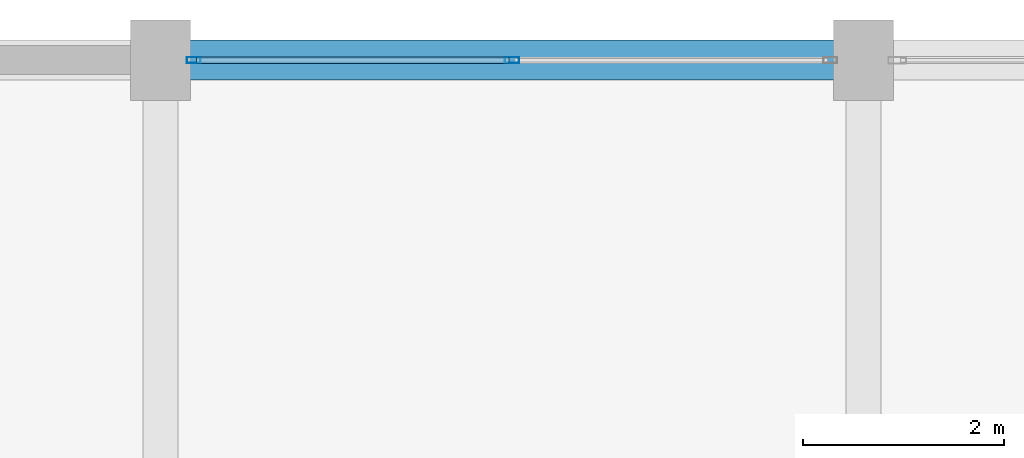
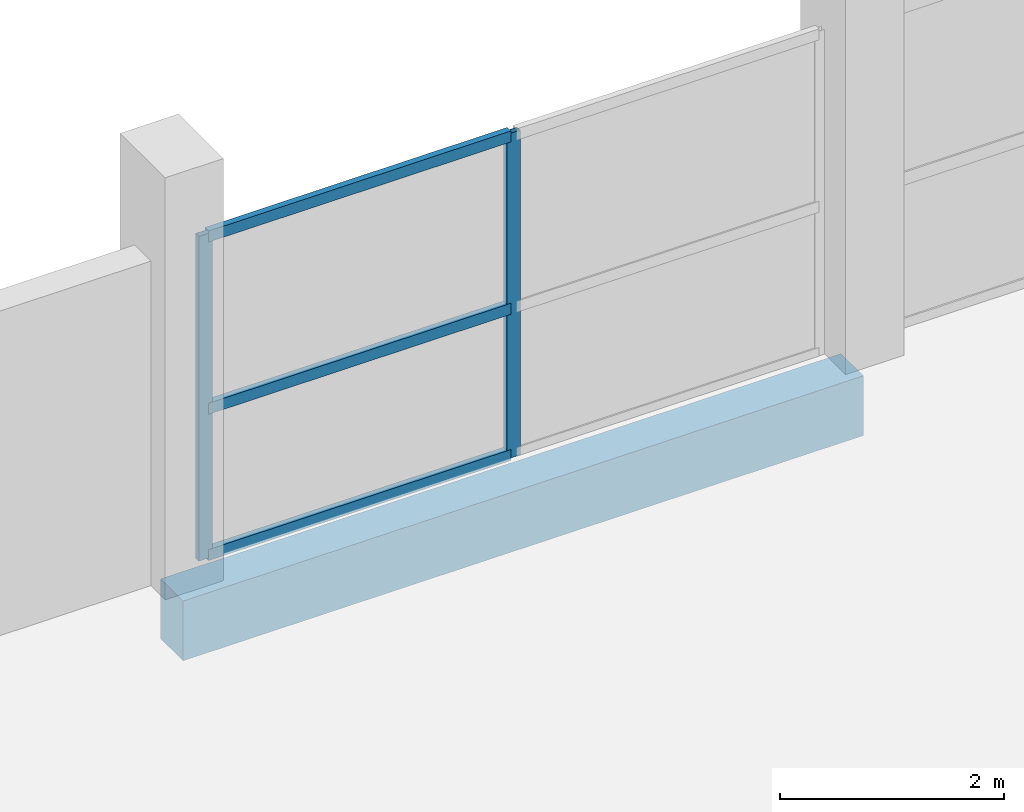
# One storey, part 31 of 55: 5 members, 1 beam, 1 element without a shape of its own.
"""IFC4 building model written with IfcOpenShell, lengths in metres."""

from ifc_helpers import new_model, si_unit, direction, frame, origin, origin_2d, place, context, subcontext, project, spatial, rectangle, hollow_rectangle, extrude, material, layer, layer_set, material_profile, profile_set, type_object, element, aggregate, save


model = new_model("IFC4")

# Units and contexts
model_context = context("Model", 3, precision=1e-05, world=origin(), true_north=direction((0.0, 1.0)))
body_context = subcontext(model_context, "Body", "Model", "MODEL_VIEW")
ifc_project = project(units=[si_unit("LENGTHUNIT", "METRE"), si_unit("AREAUNIT", "SQUARE_METRE"), si_unit("VOLUMEUNIT", "CUBIC_METRE"), si_unit("PLANEANGLEUNIT", "RADIAN"), si_unit("MASSUNIT", "GRAM", prefix="KILO")], contexts=[model_context])

# Site, building, storey
site_placement = place(None, origin())
site = spatial("IfcSite", under=ifc_project, at=site_placement, CompositionType="ELEMENT")
building_placement = place(site_placement, origin())
building = spatial("IfcBuilding", under=site, at=building_placement, Name="Sillaruma Civic Art Gallery", CompositionType="ELEMENT")
storey_placement = place(building_placement, frame((0.0, 0.0, 37.739990234375)))
storey = spatial("IfcBuildingStorey", under=building, at=storey_placement, Name="L07", CompositionType="ELEMENT", Elevation=37.739990234375)

# Beam
ifc_material_1 = material(Name="Concrete H35 (35 MPa)", Category="concrete")
ifc_material_profile_1 = material_profile(ifc_material_1, rectangle(XDim=0.39990234375, YDim=0.64990234375, at=origin_2d()), Name="RCB400x650")
ifc_profile_set_1 = profile_set([ifc_material_profile_1], Name="Concrete H35 (35 MPa)")
beam_type = type_object("IfcBeamType", Name="BM-SPANDREL-RCB400x650", PredefinedType="SPANDREL", material=ifc_profile_set_1)
beam_placement = place(storey_placement, frame((70.0, 99.0, -0.56494140625), z_axis=(1.0, 0.0, 0.0), x_axis=(0.0, 1.0, 0.0)))
element("IfcBeam", 1, at=beam_placement, inside=storey, type_object=beam_type, Name="Beam BS-02 (L06:11:G-H)", PredefinedType="SPANDREL", context=body_context, shape_type="SweptSolid", body=[
    extrude(rectangle(XDim=0.39990234375, YDim=0.64990234375, at=origin_2d()), origin(), (0.0, 0.0, 1.0), 7.0),
])

# Curtain wall, members
ifc_material_2 = material(Name="Thermally Broken Extruded Aluminium 6063-T6", Category="aluminium")
ifc_layer = layer(ifc_material_2, 0.139892578125, Name="Thermally Broken Extruded Aluminium 6063-T6")
ifc_layer_set = layer_set([ifc_layer], Name="Thermally Broken Extruded Aluminium 6063-T6")
curtain_wall_type = type_object("IfcCurtainWallType", Name="CW-UNI-50", PredefinedType="NOTDEFINED", material=ifc_layer_set)
curtain_wall_placement = place(storey_placement, origin())
curtain_wall = element("IfcCurtainWall", 2, at=curtain_wall_placement, inside=storey, type_object=curtain_wall_type, Name="Unitised Curtain Wall CW-50 (CW-L07-N-2)", PredefinedType="NOTDEFINED")
ifc_material_profile_2 = material_profile(ifc_material_2, hollow_rectangle(XDim=0.06005859375, YDim=0.139892578125, WallThickness=0.00341796875, at=origin_2d()), Name="CWM60x140")
ifc_profile_set_2 = profile_set([ifc_material_profile_2], Name="Thermally Broken Extruded Aluminium 6063-T6")
member_type_1 = type_object("IfcMemberType", Name="MEM-MUL-CWM60x140", PredefinedType="MULLION", material=ifc_profile_set_2)
member_1_placement = place(storey_placement, frame((70.330078125, 99.0, 0.0), z_axis=(0.0, 0.0, 1.0), x_axis=(0.0, 1.0, 0.0)))
member_1 = element("IfcMember", 3, at=member_1_placement, type_object=member_type_1, Name="CW-50 mullion 1", PredefinedType="MULLION", context=body_context, shape_type="SweptSolid", body=[
    extrude(hollow_rectangle(XDim=0.06005859375, YDim=0.139892578125, WallThickness=0.00341796875, at=origin_2d()), origin(), (0.0, 0.0, 1.0), 3.530029296875),
])
member_2_placement = place(storey_placement, frame((73.5, 99.0, 0.0), z_axis=(0.0, 0.0, 1.0), x_axis=(0.0, 1.0, 0.0)))
member_2 = element("IfcMember", 4, at=member_2_placement, type_object=member_type_1, Name="CW-50 mullion 2", PredefinedType="MULLION", context=body_context, shape_type="SweptSolid", body=[
    extrude(hollow_rectangle(XDim=0.06005859375, YDim=0.139892578125, WallThickness=0.00341796875, at=origin_2d()), origin(), (0.0, 0.0, 1.0), 3.530029296875),
])
ifc_material_profile_3 = material_profile(ifc_material_2, hollow_rectangle(XDim=0.06494140625, YDim=0.1201171875, WallThickness=0.00341796875, at=origin_2d()), Name="CWT65x120")
ifc_profile_set_3 = profile_set([ifc_material_profile_3], Name="Thermally Broken Extruded Aluminium 6063-T6")
member_type_2 = type_object("IfcMemberType", Name="MEM-TRN-CWT65x120", PredefinedType="USERDEFINED", material=ifc_profile_set_3)
member_3_placement = place(storey_placement, frame((70.360107421875, 99.0, 0.032470703125), z_axis=(1.0, 0.0, 0.0), x_axis=(0.0, 1.0, 0.0)))
member_3 = element("IfcMember", 5, at=member_3_placement, type_object=member_type_2, Name="CW-50 transom 1.1", ObjectType="TRANSOM", PredefinedType="USERDEFINED", context=body_context, shape_type="SweptSolid", body=[
    extrude(hollow_rectangle(XDim=0.06494140625, YDim=0.1201171875, WallThickness=0.00341796875, at=origin_2d()), origin(), (0.0, 0.0, 1.0), 3.10986328125),
])
member_4_placement = place(storey_placement, frame((70.360107421875, 99.0, 1.623779296875), z_axis=(1.0, 0.0, 0.0), x_axis=(0.0, 1.0, 0.0)))
member_4 = element("IfcMember", 6, at=member_4_placement, type_object=member_type_2, Name="CW-50 transom 1.2", ObjectType="TRANSOM", PredefinedType="USERDEFINED", context=body_context, shape_type="SweptSolid", body=[
    extrude(hollow_rectangle(XDim=0.06494140625, YDim=0.1201171875, WallThickness=0.00341796875, at=origin_2d()), origin(), (0.0, 0.0, 1.0), 3.10986328125),
])
member_5_placement = place(storey_placement, frame((70.360107421875, 99.0, 3.49755859375), z_axis=(1.0, 0.0, 0.0), x_axis=(0.0, 1.0, 0.0)))
member_5 = element("IfcMember", 7, at=member_5_placement, type_object=member_type_2, Name="CW-50 transom 1.3", ObjectType="TRANSOM", PredefinedType="USERDEFINED", context=body_context, shape_type="SweptSolid", body=[
    extrude(hollow_rectangle(XDim=0.06494140625, YDim=0.1201171875, WallThickness=0.00341796875, at=origin_2d()), origin(), (0.0, 0.0, 1.0), 3.10986328125),
])
aggregate(curtain_wall, [member_1, member_2, member_3, member_4, member_5])

save(model, "model.ifc")
